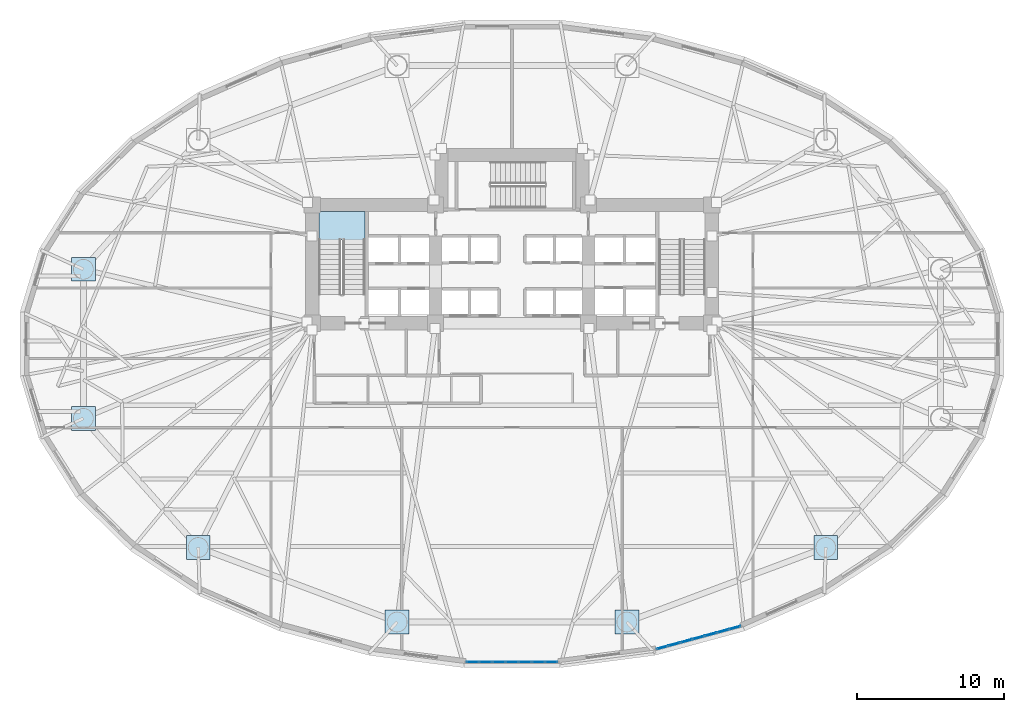
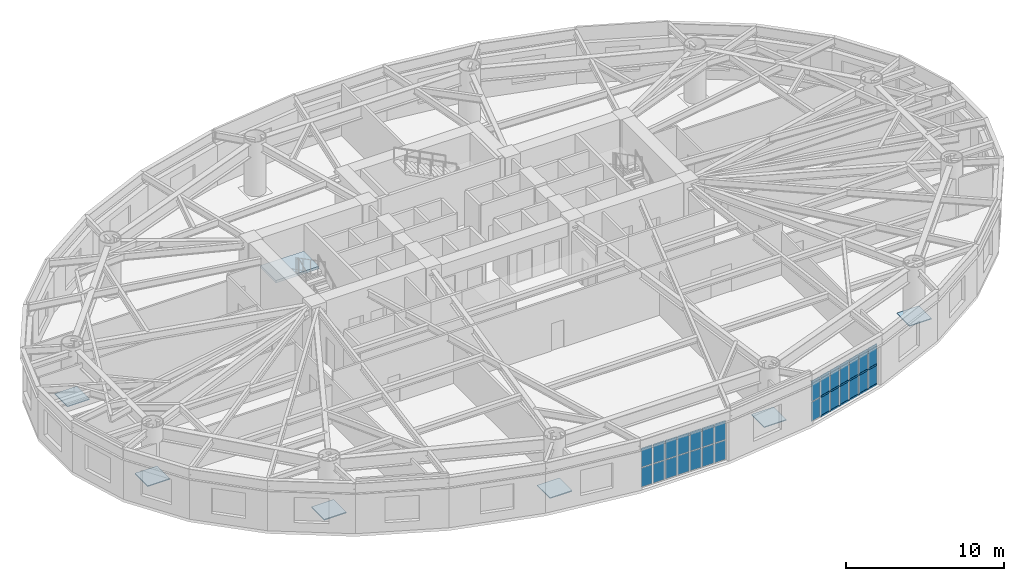
# One storey, part 7 of 18: 34 plates, 19 members, 1 slab, 3 elements without a shape of their own.
"""IFC4 building model written with IfcOpenShell, lengths in metres."""

import ifcopenshell
import ifcopenshell.guid

model = None  # the IFC model being written
_history = None  # IfcOwnerHistory: only IFC2X3 demands one
_inside = {}  # id of a spatial element -> (the spatial element, [elements in it])
_under = {}  # id of a project, library or spatial element -> (it, [spatial elements below it])
_declared = {}  # id of a project -> (the project, [libraries it declares])
_typed = {}  # id of a type object -> (the type object, [elements of that type])
_made_of = {}  # id of a material, layer set ... -> (it, [elements and type objects made of it])


def new_model(schema):
    """Start an empty IFC model of exactly this schema.

    Asked for "IFC4X3", IfcOpenShell would pick the latest addendum, in which some entities
    have other attributes; the version numbers below select the first issue.
    IFC2X3 requires an IfcOwnerHistory on every rooted entity: one is made here for all.
    """
    global model, _history
    if schema == "IFC4X3":
        model = ifcopenshell.file(schema_version=(4, 3, 0, 0))
    else:
        model = ifcopenshell.file(schema=schema)
    _inside.clear()
    _under.clear()
    _declared.clear()
    _typed.clear()
    _made_of.clear()
    _history = None
    if model.schema == "IFC2X3":
        org = make("IfcOrganization", Name="unknown")
        user = make(
            "IfcPersonAndOrganization",
            ThePerson=make("IfcPerson", FamilyName="unknown"),
            TheOrganization=org,
        )
        app = make(
            "IfcApplication",
            ApplicationDeveloper=org,
            Version="unknown",
            ApplicationFullName="unknown",
            ApplicationIdentifier="unknown",
        )
        _history = make(
            "IfcOwnerHistory",
            OwningUser=user,
            OwningApplication=app,
            ChangeAction="ADDED",
            CreationDate=0,
        )
    return model


def make(cls, **values):
    """One entity of the class cls with the attributes given. An attribute that is None is left unset."""
    return model.create_entity(
        cls, **{name: value for name, value in values.items() if value is not None}
    )


def rooted(cls, **values):
    """An entity with a GlobalId (a new one), such as an element, a storey or a relation."""
    return make(cls, GlobalId=ifcopenshell.guid.new(), OwnerHistory=_history, **values)


def si_unit(unit_type, name, prefix=None):
    """IfcSIUnit, for example si_unit("LENGTHUNIT", "METRE", prefix="MILLI")."""
    return make("IfcSIUnit", UnitType=unit_type, Prefix=prefix, Name=name)


def assignment(units):
    """IfcUnitAssignment: the units of a project."""
    return None if units is None else make("IfcUnitAssignment", Units=units)


def point(xyz):
    """IfcCartesianPoint."""
    return None if xyz is None else make("IfcCartesianPoint", Coordinates=xyz)


def direction(xyz):
    """IfcDirection."""
    return None if xyz is None else make("IfcDirection", DirectionRatios=xyz)


def frame(location, z_axis=None, x_axis=None):
    """IfcAxis2Placement3D, a coordinate frame: its origin and axes. An axis left out is left unset."""
    return make(
        "IfcAxis2Placement3D",
        Location=point(location),
        Axis=direction(z_axis),
        RefDirection=direction(x_axis),
    )


def frame_2d(location, x_axis=None):
    """IfcAxis2Placement2D, a coordinate frame in the plane: its origin and x axis."""
    return make(
        "IfcAxis2Placement2D", Location=point(location), RefDirection=direction(x_axis)
    )


def origin():
    """The frame at (0, 0, 0) with its axes left unset."""
    return frame((0.0, 0.0, 0.0))


def origin_2d():
    """The frame at (0, 0) in the plane with its x axis left unset."""
    return frame_2d((0.0, 0.0))


def place(relative_to, where):
    """IfcLocalPlacement: puts the frame where relative to a parent placement (None: the world)."""
    return make(
        "IfcLocalPlacement", PlacementRelTo=relative_to, RelativePlacement=where
    )


def context(
    kind, dimensions, precision=None, world=None, true_north=None, identifier=None
):
    """IfcGeometricRepresentationContext, for example the 3D "Model" context."""
    return make(
        "IfcGeometricRepresentationContext",
        ContextIdentifier=identifier,
        ContextType=kind,
        CoordinateSpaceDimension=dimensions,
        Precision=precision,
        WorldCoordinateSystem=world,
        TrueNorth=true_north,
    )


def subcontext(parent, identifier, kind, view, scale=None):
    """IfcGeometricRepresentationSubContext, for example "Body" below "Model"."""
    return make(
        "IfcGeometricRepresentationSubContext",
        ContextIdentifier=identifier,
        ContextType=kind,
        ParentContext=parent,
        TargetScale=scale,
        TargetView=view,
    )


def project(units=None, contexts=None):
    """IfcProject with its units and contexts."""
    return rooted(
        "IfcProject",
        Name="project",
        RepresentationContexts=contexts,
        UnitsInContext=assignment(units),
    )


def spatial(cls, under=None, at=None, **own):
    """A site, building, storey or space (cls), placed at a placement, below another one or the project."""
    s = rooted(cls, ObjectPlacement=at, **own)
    if under is not None:
        _under.setdefault(under.id(), (under, []))[1].append(s)
    return s


def polyline(points):
    """IfcPolyline through the points."""
    return make("IfcPolyline", Points=[point(p) for p in points])


def profile(cls, at=None, kind="AREA", **sizes):
    """A parametric profile (cls). Its sizes go by their IFC names, for example OverallWidth=200.0."""
    return make(cls, ProfileType=kind, Position=at, **sizes)


def rectangle(**sizes):
    """IfcRectangleProfileDef."""
    return profile("IfcRectangleProfileDef", **sizes)


def outline(outer, holes=None, kind="AREA"):
    """IfcArbitraryClosedProfileDef: a profile drawn as a closed curve; with holes, ...WithVoids."""
    if holes is None:
        return make("IfcArbitraryClosedProfileDef", ProfileType=kind, OuterCurve=outer)
    return make(
        "IfcArbitraryProfileDefWithVoids",
        ProfileType=kind,
        OuterCurve=outer,
        InnerCurves=holes,
    )


def extrude(swept, where, along, depth):
    """IfcExtrudedAreaSolid: the profile swept, set in the frame where, extruded along a direction by depth."""
    return make(
        "IfcExtrudedAreaSolid",
        SweptArea=swept,
        Position=where,
        ExtrudedDirection=direction(along),
        Depth=depth,
    )


def shape(context_of_items, identifier, shape_type, items):
    """IfcShapeRepresentation: the items that make up one representation, for example the "Body"."""
    return make(
        "IfcShapeRepresentation",
        ContextOfItems=context_of_items,
        RepresentationIdentifier=identifier,
        RepresentationType=shape_type,
        Items=items,
    )


def material(Name=None, Category=None):
    """IfcMaterial."""
    return make("IfcMaterial", Name=Name, Category=Category)


def layer(
    of_material, thickness, ventilated=None, Name=None, Category=None, Priority=None
):
    """IfcMaterialLayer: one layer of a wall or slab, of a material (None: an air gap)."""
    return make(
        "IfcMaterialLayer",
        Material=of_material,
        LayerThickness=thickness,
        IsVentilated=ventilated,
        Name=Name,
        Category=Category,
        Priority=Priority,
    )


def layer_set(layers, Name=None):
    """IfcMaterialLayerSet."""
    return make("IfcMaterialLayerSet", MaterialLayers=layers, LayerSetName=Name)


def material_profile(
    of_material, cross_section, Name=None, Category=None, Priority=None
):
    """IfcMaterialProfile: a cross section and its material."""
    return make(
        "IfcMaterialProfile",
        Name=Name,
        Material=of_material,
        Profile=cross_section,
        Priority=Priority,
        Category=Category,
    )


def profile_set(profiles, Name=None, composite=None):
    """IfcMaterialProfileSet."""
    return make(
        "IfcMaterialProfileSet",
        Name=Name,
        MaterialProfiles=profiles,
        CompositeProfile=composite,
    )


def made_of(thing, what):
    """Note that an element or type object is made of a material, layer set ...; save() writes the relation."""
    if what is not None:
        _made_of.setdefault(what.id(), (what, []))[1].append(thing)
    return thing


def type_object(cls, material=None, **own):
    """A type object (cls), such as IfcWallType, which elements share."""
    return made_of(rooted(cls, **own), material)


def element(
    cls,
    number,
    at=None,
    inside=None,
    cuts=None,
    type_object=None,
    material=None,
    context=None,
    identifier="Body",
    shape_type=None,
    held_by="IfcProductDefinitionShape",
    body=None,
    shapes=None,
    **own,
):
    """One element of the class cls, such as IfcWall. Its Tag is "e" and its number.

    at: its placement. inside: the storey or other place that contains it. cuts: it is an
    opening in that element (IfcRelVoidsElement). A single representation is given by context,
    identifier, shape_type and body (its items); several are given by shapes. held_by: the class
    of the entity that holds the representations. save() writes the other relations.
    """
    e = rooted(cls, Tag="e%d" % number, ObjectPlacement=at, **own)
    if body is not None:
        shapes = [shape(context, identifier, shape_type, body)]
    if shapes is not None:
        e.Representation = make(held_by, Representations=shapes)
    if inside is not None:
        _inside.setdefault(inside.id(), (inside, []))[1].append(e)
    if cuts is not None:
        rooted(
            "IfcRelVoidsElement", RelatingBuildingElement=cuts, RelatedOpeningElement=e
        )
    if type_object is not None:
        _typed.setdefault(type_object.id(), (type_object, []))[1].append(e)
    return made_of(e, material)


def aggregate(whole, parts):
    """IfcRelAggregates: a whole, such as a stair, and the parts it consists of."""
    return rooted("IfcRelAggregates", RelatingObject=whole, RelatedObjects=parts)


def save(model, path):
    """Write the relations noted so far, then the file.

    IfcRelAggregates (storeys below a building ...), IfcRelContainedInSpatialStructure (elements
    in a storey), IfcRelDefinesByType, IfcRelAssociatesMaterial and IfcRelDeclares: one each for
    every whole, place, type object, material and project.
    """
    for whole, parts in _under.values():
        aggregate(whole, parts)
    for where, things in _inside.values():
        rooted(
            "IfcRelContainedInSpatialStructure",
            RelatedElements=things,
            RelatingStructure=where,
        )
    for kind, things in _typed.values():
        rooted("IfcRelDefinesByType", RelatedObjects=things, RelatingType=kind)
    for what, things in _made_of.values():
        rooted("IfcRelAssociatesMaterial", RelatedObjects=things, RelatingMaterial=what)
    for by, libraries in _declared.values():
        rooted("IfcRelDeclares", RelatingContext=by, RelatedDefinitions=libraries)
    model.write(path)


model = new_model("IFC4")

# Units and contexts
model_context = context("Model", 3, precision=1e-05, world=origin(), true_north=direction((0.0, 1.0)))
body_context = subcontext(model_context, "Body", "Model", "MODEL_VIEW")
ifc_project = project(units=[si_unit("LENGTHUNIT", "METRE"), si_unit("AREAUNIT", "SQUARE_METRE"), si_unit("VOLUMEUNIT", "CUBIC_METRE"), si_unit("PLANEANGLEUNIT", "RADIAN"), si_unit("MASSUNIT", "GRAM", prefix="KILO")], contexts=[model_context])

# Site, building, storey
site_placement = place(None, origin())
site = spatial("IfcSite", under=ifc_project, at=site_placement, CompositionType="ELEMENT")
building_placement = place(site_placement, origin())
building = spatial("IfcBuilding", under=site, at=building_placement, Name="Keldmark Tower", CompositionType="ELEMENT")
storey_placement = place(building_placement, frame((0.0, 0.0, 6.0)))
storey = spatial("IfcBuildingStorey", under=building, at=storey_placement, Name="L01", CompositionType="ELEMENT", Elevation=6.0)

# Curtain wall, members
ifc_material_1 = material(Name="Unitized Thermally Broken Aluminum and Triple Low-E Glazing", Category="aluminium")
ifc_layer_1 = layer(ifc_material_1, 0.219970703125)
ifc_layer_set_1 = layer_set([ifc_layer_1], Name="Unitized Thermally Broken Aluminum and Triple Low-E Glazing")
curtain_wall_type = type_object("IfcCurtainWallType", Name="Podium Wintergarden Curtain Wall System", PredefinedType="NOTDEFINED", material=ifc_layer_set_1)
curtain_wall_1_placement = place(storey_placement, origin())
curtain_wall_1 = element("IfcCurtainWall", 1, at=curtain_wall_1_placement, inside=storey, type_object=curtain_wall_type, Name="L01 Podium Wintergarden Curtain Wall System CW-L01-26", PredefinedType="NOTDEFINED")
ifc_material_2 = material(Name="Extruded Aluminum Alloy 6063-T6", Category="aluminium")
ifc_material_profile = material_profile(ifc_material_2, rectangle(XDim=0.06005859375, YDim=0.139892578125, at=origin_2d()), Name="CWT60X140")
ifc_profile_set = profile_set([ifc_material_profile], Name="Extruded Aluminum Alloy 6063-T6")
member_type = type_object("IfcMemberType", Name="Curtain Wall Horizontal Transom 60x140", PredefinedType="USERDEFINED", material=ifc_profile_set)
member_1_placement = place(storey_placement, frame((15.535888671875, -19.22314453125, 0.030029296875), z_axis=(-0.964946893051, -0.262445220171, 0.0), x_axis=(0.262445220171, -0.964946893051, 0.0)))
member_1 = element("IfcMember", 2, at=member_1_placement, type_object=member_type, Name="CW transom 1.1", ObjectType="TRANSOM", PredefinedType="USERDEFINED", context=body_context, shape_type="SweptSolid", body=[
    extrude(rectangle(XDim=0.06005859375, YDim=0.139892578125, at=origin_2d()), origin(), (0.0, 0.0, 1.0), 0.768310546875),
])
member_2_placement = place(storey_placement, frame((15.535888671875, -19.22314453125, 1.554443359375), z_axis=(-0.964946893051, -0.262445220171, 0.0), x_axis=(0.262445220171, -0.964946893051, 0.0)))
member_2 = element("IfcMember", 3, at=member_2_placement, type_object=member_type, Name="CW transom 1.2", ObjectType="TRANSOM", PredefinedType="USERDEFINED", context=body_context, shape_type="SweptSolid", body=[
    extrude(rectangle(XDim=0.06005859375, YDim=0.139892578125, at=origin_2d()), origin(), (0.0, 0.0, 1.0), 0.768310546875),
])
member_3_placement = place(storey_placement, frame((15.535888671875, -19.22314453125, 3.0791015625), z_axis=(-0.964946893051, -0.262445220171, 0.0), x_axis=(0.262445220171, -0.964946893051, 0.0)))
member_3 = element("IfcMember", 4, at=member_3_placement, type_object=member_type, Name="CW transom 1.3", ObjectType="TRANSOM", PredefinedType="USERDEFINED", context=body_context, shape_type="SweptSolid", body=[
    extrude(rectangle(XDim=0.06005859375, YDim=0.139892578125, at=origin_2d()), origin(), (0.0, 0.0, 1.0), 0.768310546875),
])
member_4_placement = place(storey_placement, frame((14.736572265625, -19.440673828125, 0.030029296875), z_axis=(-0.964954135758, -0.262418589059, 0.0), x_axis=(0.262418589059, -0.964954135758, 0.0)))
member_4 = element("IfcMember", 5, at=member_4_placement, type_object=member_type, Name="CW transom 2.1", ObjectType="TRANSOM", PredefinedType="USERDEFINED", context=body_context, shape_type="SweptSolid", body=[
    extrude(rectangle(XDim=0.06005859375, YDim=0.139892578125, at=origin_2d()), origin(), (0.0, 0.0, 1.0), 0.79833984375),
])
member_5_placement = place(storey_placement, frame((14.736572265625, -19.440673828125, 1.554443359375), z_axis=(-0.964954135758, -0.262418589059, 0.0), x_axis=(0.262418589059, -0.964954135758, 0.0)))
member_5 = element("IfcMember", 6, at=member_5_placement, type_object=member_type, Name="CW transom 2.2", ObjectType="TRANSOM", PredefinedType="USERDEFINED", context=body_context, shape_type="SweptSolid", body=[
    extrude(rectangle(XDim=0.06005859375, YDim=0.139892578125, at=origin_2d()), origin(), (0.0, 0.0, 1.0), 0.79833984375),
])
member_6_placement = place(storey_placement, frame((14.736572265625, -19.440673828125, 3.0791015625), z_axis=(-0.964954135758, -0.262418589059, 0.0), x_axis=(0.262418589059, -0.964954135758, 0.0)))
member_6 = element("IfcMember", 7, at=member_6_placement, type_object=member_type, Name="CW transom 2.3", ObjectType="TRANSOM", PredefinedType="USERDEFINED", context=body_context, shape_type="SweptSolid", body=[
    extrude(rectangle(XDim=0.06005859375, YDim=0.139892578125, at=origin_2d()), origin(), (0.0, 0.0, 1.0), 0.79833984375),
])
member_7_placement = place(storey_placement, frame((13.908447265625, -19.665771484375, 0.030029296875), z_axis=(-0.96487665225, -0.262703342086, 0.0), x_axis=(0.262703342086, -0.96487665225, 0.0)))
member_7 = element("IfcMember", 8, at=member_7_placement, type_object=member_type, Name="CW transom 3.1", ObjectType="TRANSOM", PredefinedType="USERDEFINED", context=body_context, shape_type="SweptSolid", body=[
    extrude(rectangle(XDim=0.06005859375, YDim=0.139892578125, at=origin_2d()), origin(), (0.0, 0.0, 1.0), 0.79833984375),
])
member_8_placement = place(storey_placement, frame((13.908447265625, -19.665771484375, 1.554443359375), z_axis=(-0.96487665225, -0.262703342086, 0.0), x_axis=(0.262703342086, -0.96487665225, 0.0)))
member_8 = element("IfcMember", 9, at=member_8_placement, type_object=member_type, Name="CW transom 3.2", ObjectType="TRANSOM", PredefinedType="USERDEFINED", context=body_context, shape_type="SweptSolid", body=[
    extrude(rectangle(XDim=0.06005859375, YDim=0.139892578125, at=origin_2d()), origin(), (0.0, 0.0, 1.0), 0.79833984375),
])
member_9_placement = place(storey_placement, frame((13.908447265625, -19.665771484375, 3.0791015625), z_axis=(-0.96487665225, -0.262703342086, 0.0), x_axis=(0.262703342086, -0.96487665225, 0.0)))
member_9 = element("IfcMember", 10, at=member_9_placement, type_object=member_type, Name="CW transom 3.3", ObjectType="TRANSOM", PredefinedType="USERDEFINED", context=body_context, shape_type="SweptSolid", body=[
    extrude(rectangle(XDim=0.06005859375, YDim=0.139892578125, at=origin_2d()), origin(), (0.0, 0.0, 1.0), 0.79833984375),
])
member_10_placement = place(storey_placement, frame((13.080322265625, -19.89111328125, 0.030029296875), z_axis=(-0.964954135758, -0.262418589059, 0.0), x_axis=(0.262418589059, -0.964954135758, 0.0)))
member_10 = element("IfcMember", 11, at=member_10_placement, type_object=member_type, Name="CW transom 4.1", ObjectType="TRANSOM", PredefinedType="USERDEFINED", context=body_context, shape_type="SweptSolid", body=[
    extrude(rectangle(XDim=0.06005859375, YDim=0.139892578125, at=origin_2d()), origin(), (0.0, 0.0, 1.0), 0.79833984375),
])
member_11_placement = place(storey_placement, frame((13.080322265625, -19.89111328125, 1.554443359375), z_axis=(-0.964954135758, -0.262418589059, 0.0), x_axis=(0.262418589059, -0.964954135758, 0.0)))
member_11 = element("IfcMember", 12, at=member_11_placement, type_object=member_type, Name="CW transom 4.2", ObjectType="TRANSOM", PredefinedType="USERDEFINED", context=body_context, shape_type="SweptSolid", body=[
    extrude(rectangle(XDim=0.06005859375, YDim=0.139892578125, at=origin_2d()), origin(), (0.0, 0.0, 1.0), 0.79833984375),
])
member_12_placement = place(storey_placement, frame((13.080322265625, -19.89111328125, 3.0791015625), z_axis=(-0.964954135758, -0.262418589059, 0.0), x_axis=(0.262418589059, -0.964954135758, 0.0)))
member_12 = element("IfcMember", 13, at=member_12_placement, type_object=member_type, Name="CW transom 4.3", ObjectType="TRANSOM", PredefinedType="USERDEFINED", context=body_context, shape_type="SweptSolid", body=[
    extrude(rectangle(XDim=0.06005859375, YDim=0.139892578125, at=origin_2d()), origin(), (0.0, 0.0, 1.0), 0.79833984375),
])
member_13_placement = place(storey_placement, frame((12.252197265625, -20.116455078125, 0.030029296875), z_axis=(-0.964954135758, -0.262418589059, 0.0), x_axis=(0.262418589059, -0.964954135758, 0.0)))
member_13 = element("IfcMember", 14, at=member_13_placement, type_object=member_type, Name="CW transom 5.1", ObjectType="TRANSOM", PredefinedType="USERDEFINED", context=body_context, shape_type="SweptSolid", body=[
    extrude(rectangle(XDim=0.06005859375, YDim=0.139892578125, at=origin_2d()), origin(), (0.0, 0.0, 1.0), 0.79833984375),
])
member_14_placement = place(storey_placement, frame((12.252197265625, -20.116455078125, 1.554443359375), z_axis=(-0.964954135758, -0.262418589059, 0.0), x_axis=(0.262418589059, -0.964954135758, 0.0)))
member_14 = element("IfcMember", 15, at=member_14_placement, type_object=member_type, Name="CW transom 5.2", ObjectType="TRANSOM", PredefinedType="USERDEFINED", context=body_context, shape_type="SweptSolid", body=[
    extrude(rectangle(XDim=0.06005859375, YDim=0.139892578125, at=origin_2d()), origin(), (0.0, 0.0, 1.0), 0.79833984375),
])
member_15_placement = place(storey_placement, frame((12.252197265625, -20.116455078125, 3.0791015625), z_axis=(-0.964954135758, -0.262418589059, 0.0), x_axis=(0.262418589059, -0.964954135758, 0.0)))
member_15 = element("IfcMember", 16, at=member_15_placement, type_object=member_type, Name="CW transom 5.3", ObjectType="TRANSOM", PredefinedType="USERDEFINED", context=body_context, shape_type="SweptSolid", body=[
    extrude(rectangle(XDim=0.06005859375, YDim=0.139892578125, at=origin_2d()), origin(), (0.0, 0.0, 1.0), 0.79833984375),
])
member_16_placement = place(storey_placement, frame((11.424072265625, -20.341796875, 0.030029296875), z_axis=(-0.964954135758, -0.262418589059, 0.0), x_axis=(0.262418589059, -0.964954135758, 0.0)))
member_16 = element("IfcMember", 17, at=member_16_placement, type_object=member_type, Name="CW transom 6.1", ObjectType="TRANSOM", PredefinedType="USERDEFINED", context=body_context, shape_type="SweptSolid", body=[
    extrude(rectangle(XDim=0.06005859375, YDim=0.139892578125, at=origin_2d()), origin(), (0.0, 0.0, 1.0), 0.79833984375),
])
member_17_placement = place(storey_placement, frame((11.424072265625, -20.341796875, 1.554443359375), z_axis=(-0.964954135758, -0.262418589059, 0.0), x_axis=(0.262418589059, -0.964954135758, 0.0)))
member_17 = element("IfcMember", 18, at=member_17_placement, type_object=member_type, Name="CW transom 6.2", ObjectType="TRANSOM", PredefinedType="USERDEFINED", context=body_context, shape_type="SweptSolid", body=[
    extrude(rectangle(XDim=0.06005859375, YDim=0.139892578125, at=origin_2d()), origin(), (0.0, 0.0, 1.0), 0.79833984375),
])
member_18_placement = place(storey_placement, frame((11.424072265625, -20.341796875, 3.0791015625), z_axis=(-0.964954135758, -0.262418589059, 0.0), x_axis=(0.262418589059, -0.964954135758, 0.0)))
member_18 = element("IfcMember", 19, at=member_18_placement, type_object=member_type, Name="CW transom 6.3", ObjectType="TRANSOM", PredefinedType="USERDEFINED", context=body_context, shape_type="SweptSolid", body=[
    extrude(rectangle(XDim=0.06005859375, YDim=0.139892578125, at=origin_2d()), origin(), (0.0, 0.0, 1.0), 0.79833984375),
])
member_19_placement = place(storey_placement, frame((10.595703125, -20.56689453125, 3.0791015625), z_axis=(-0.964924998517, -0.262525707765, 0.0), x_axis=(0.262525707765, -0.964924998517, 0.0)))
member_19 = element("IfcMember", 20, at=member_19_placement, type_object=member_type, Name="CW transom 7.3", ObjectType="TRANSOM", PredefinedType="USERDEFINED", context=body_context, shape_type="SweptSolid", body=[
    extrude(rectangle(XDim=0.06005859375, YDim=0.139892578125, at=origin_2d()), origin(), (0.0, 0.0, 1.0), 0.76806640625),
])

# Plates
ifc_material_3 = material(Name="Steel ASTM A572 Grade 50", Category="steel")
ifc_layer_2 = layer(ifc_material_3, 0.070068359375)
ifc_layer_set_2 = layer_set([ifc_layer_2], Name="Steel ASTM A572 Grade 50")
plate_type_1 = type_object("IfcPlateType", Name="Pilotis Top Cap Plate BP02 70 mm", PredefinedType="USERDEFINED", material=ifc_layer_set_2)
for number, where, z_axis, x_axis, name in (
    (21, (-29.1708984375, 5.072998046875, -0.06982421875), (0.0, 0.0, 1.0), (1.0, 0.0, 0.0), "L01 Pilotis Transition Diaphragm Plate MC-06"),
    (22, (-29.1708984375, -5.072998046875, -0.06982421875), (0.0, 0.0, 1.0), (1.0, 0.0, 0.0), "L01 Pilotis Transition Diaphragm Plate MC-07"),
    (23, (-21.3544921875, -13.859375, -0.06982421875), (0.0, 0.0, 1.0), (1.0, 0.0, 0.0), "L01 Pilotis Transition Diaphragm Plate MC-08"),
    (24, (-7.81640625, -18.93212890625, -0.06982421875), (0.0, 0.0, 1.0), (1.0, 0.0, 0.0), "L01 Pilotis Transition Diaphragm Plate MC-09"),
    (25, (7.81640625, -18.93212890625, -0.06982421875), (0.0, 0.0, 1.0), (1.0, 0.0, 0.0), "L01 Pilotis Transition Diaphragm Plate MC-10"),
    (26, (21.3544921875, -13.859375, -0.06982421875), (0.0, 0.0, 1.0), (1.0, 0.0, 0.0), "L01 Pilotis Transition Diaphragm Plate MC-11"),
):
    element("IfcPlate", number, at=place(storey_placement, frame(where, z_axis=z_axis, x_axis=x_axis)), inside=storey, type_object=plate_type_1, Name=name, ObjectType="CAP PLATE", PredefinedType="USERDEFINED", context=body_context, shape_type="SweptSolid", body=[
        extrude(rectangle(XDim=1.6201171875, YDim=1.6201171875, at=origin_2d()), origin(), (0.0, 0.0, 1.0), 0.070068359375),
    ])

# Stair, slab
ifc_material_4 = material(Name="Concrete C40/50", Category="concrete")
stair_type = type_object("IfcStairType", Name="Precast Concrete Core Exit Stair", PredefinedType="HALF_TURN_STAIR", material=ifc_material_4)
stair_placement = place(storey_placement, origin())
stair = element("IfcStair", 27, at=stair_placement, inside=storey, type_object=stair_type, Name="L01 Exit Stair ST1", PredefinedType="HALF_TURN_STAIR")
ifc_material_5 = material(Name="Concrete C40/50", Category="concrete")
ifc_layer_3 = layer(ifc_material_5, 0.199951171875)
ifc_layer_set_3 = layer_set([ifc_layer_3], Name="Concrete C40/50")
slab_type = type_object("IfcSlabType", Name="Reinforced Concrete Stair Landing 200 mm", PredefinedType="LANDING", material=ifc_layer_set_3)
slab_placement = place(storey_placement, frame((0.0, 0.0, 1.89990234375)))
slab = element("IfcSlab", 28, at=slab_placement, type_object=slab_type, Name="ST1 landing 1", PredefinedType="LANDING", context=body_context, shape_type="SweptSolid", body=[
    extrude(outline(polyline([(-10.0, 7.070068359375), (-10.0, 9.0), (-13.14990234375, 9.0), (-13.14990234375, 7.070068359375), (-10.0, 7.070068359375)])), origin(), (0.0, 0.0, 1.0), 0.2001953125),
])
aggregate(stair, [slab])

# Curtain wall, plates
curtain_wall_2_placement = place(storey_placement, origin())
curtain_wall_2 = element("IfcCurtainWall", 29, at=curtain_wall_2_placement, inside=storey, type_object=curtain_wall_type, Name="L01 Podium Wintergarden Curtain Wall System CW-L01-24", PredefinedType="NOTDEFINED")
ifc_material_6 = material(Name="Triple Silver Low-E Insulated Glass Unit", Category="glass")
ifc_layer_4 = layer(ifc_material_6, 0.035888671875)
ifc_layer_set_4 = layer_set([ifc_layer_4], Name="Triple Silver Low-E Insulated Glass Unit")
plate_type_2 = type_object("IfcPlateType", Name="Triple Low-E Vision Glazing Panel 36 mm", PredefinedType="CURTAIN_PANEL", material=ifc_layer_set_4)
plate_1_placement = place(storey_placement, frame((2.679443359375, -21.654052734375, 0.06005859375), z_axis=(0.0, 0.0, 1.0), x_axis=(-1.0, 0.0, 0.0)))
plate_1 = element("IfcPlate", 30, at=plate_1_placement, type_object=plate_type_2, Name="CW panel 1.1", PredefinedType="CURTAIN_PANEL", context=body_context, shape_type="SweptSolid", body=[
    extrude(rectangle(XDim=0.80810546875, YDim=0.035888671875, at=origin_2d()), origin(), (0.0, 0.0, 1.0), 1.464599609375),
])
plate_2_placement = place(storey_placement, frame((2.679443359375, -21.654052734375, 1.58447265625), z_axis=(0.0, 0.0, 1.0), x_axis=(-1.0, 0.0, 0.0)))
plate_2 = element("IfcPlate", 31, at=plate_2_placement, type_object=plate_type_2, Name="CW panel 1.2", PredefinedType="CURTAIN_PANEL", context=body_context, shape_type="SweptSolid", body=[
    extrude(rectangle(XDim=0.80810546875, YDim=0.035888671875, at=origin_2d()), origin(), (0.0, 0.0, 1.0), 1.464599609375),
])
plate_3_placement = place(storey_placement, frame((1.79638671875, -21.654052734375, 0.06005859375), z_axis=(0.0, 0.0, 1.0), x_axis=(-1.0, 0.0, 0.0)))
plate_3 = element("IfcPlate", 32, at=plate_3_placement, type_object=plate_type_2, Name="CW panel 2.1", PredefinedType="CURTAIN_PANEL", context=body_context, shape_type="SweptSolid", body=[
    extrude(rectangle(XDim=0.838134765625, YDim=0.035888671875, at=origin_2d()), origin(), (0.0, 0.0, 1.0), 1.464599609375),
])
plate_4_placement = place(storey_placement, frame((1.79638671875, -21.654052734375, 1.58447265625), z_axis=(0.0, 0.0, 1.0), x_axis=(-1.0, 0.0, 0.0)))
plate_4 = element("IfcPlate", 33, at=plate_4_placement, type_object=plate_type_2, Name="CW panel 2.2", PredefinedType="CURTAIN_PANEL", context=body_context, shape_type="SweptSolid", body=[
    extrude(rectangle(XDim=0.838134765625, YDim=0.035888671875, at=origin_2d()), origin(), (0.0, 0.0, 1.0), 1.464599609375),
])
plate_5_placement = place(storey_placement, frame((0.898193359375, -21.654052734375, 0.06005859375), z_axis=(0.0, 0.0, 1.0), x_axis=(-1.0, 0.0, 0.0)))
plate_5 = element("IfcPlate", 34, at=plate_5_placement, type_object=plate_type_2, Name="CW panel 3.1", PredefinedType="CURTAIN_PANEL", context=body_context, shape_type="SweptSolid", body=[
    extrude(rectangle(XDim=0.838134765625, YDim=0.035888671875, at=origin_2d()), origin(), (0.0, 0.0, 1.0), 1.464599609375),
])
plate_6_placement = place(storey_placement, frame((0.898193359375, -21.654052734375, 1.58447265625), z_axis=(0.0, 0.0, 1.0), x_axis=(-1.0, 0.0, 0.0)))
plate_6 = element("IfcPlate", 35, at=plate_6_placement, type_object=plate_type_2, Name="CW panel 3.2", PredefinedType="CURTAIN_PANEL", context=body_context, shape_type="SweptSolid", body=[
    extrude(rectangle(XDim=0.838134765625, YDim=0.035888671875, at=origin_2d()), origin(), (0.0, 0.0, 1.0), 1.464599609375),
])
plate_7_placement = place(storey_placement, frame((0.0, -21.654052734375, 0.06005859375), z_axis=(0.0, 0.0, 1.0), x_axis=(-1.0, 0.0, 0.0)))
plate_7 = element("IfcPlate", 36, at=plate_7_placement, type_object=plate_type_2, Name="CW panel 4.1", PredefinedType="CURTAIN_PANEL", context=body_context, shape_type="SweptSolid", body=[
    extrude(rectangle(XDim=0.838134765625, YDim=0.035888671875, at=origin_2d()), origin(), (0.0, 0.0, 1.0), 1.464599609375),
])
plate_8_placement = place(storey_placement, frame((0.0, -21.654052734375, 1.58447265625), z_axis=(0.0, 0.0, 1.0), x_axis=(-1.0, 0.0, 0.0)))
plate_8 = element("IfcPlate", 37, at=plate_8_placement, type_object=plate_type_2, Name="CW panel 4.2", PredefinedType="CURTAIN_PANEL", context=body_context, shape_type="SweptSolid", body=[
    extrude(rectangle(XDim=0.838134765625, YDim=0.035888671875, at=origin_2d()), origin(), (0.0, 0.0, 1.0), 1.464599609375),
])
plate_9_placement = place(storey_placement, frame((-0.898193359375, -21.654052734375, 0.06005859375), z_axis=(0.0, 0.0, 1.0), x_axis=(-1.0, 0.0, 0.0)))
plate_9 = element("IfcPlate", 38, at=plate_9_placement, type_object=plate_type_2, Name="CW panel 5.1", PredefinedType="CURTAIN_PANEL", context=body_context, shape_type="SweptSolid", body=[
    extrude(rectangle(XDim=0.838134765625, YDim=0.035888671875, at=origin_2d()), origin(), (0.0, 0.0, 1.0), 1.464599609375),
])
plate_10_placement = place(storey_placement, frame((-0.898193359375, -21.654052734375, 1.58447265625), z_axis=(0.0, 0.0, 1.0), x_axis=(-1.0, 0.0, 0.0)))
plate_10 = element("IfcPlate", 39, at=plate_10_placement, type_object=plate_type_2, Name="CW panel 5.2", PredefinedType="CURTAIN_PANEL", context=body_context, shape_type="SweptSolid", body=[
    extrude(rectangle(XDim=0.838134765625, YDim=0.035888671875, at=origin_2d()), origin(), (0.0, 0.0, 1.0), 1.464599609375),
])
plate_11_placement = place(storey_placement, frame((-1.79638671875, -21.654052734375, 0.06005859375), z_axis=(0.0, 0.0, 1.0), x_axis=(-1.0, 0.0, 0.0)))
plate_11 = element("IfcPlate", 40, at=plate_11_placement, type_object=plate_type_2, Name="CW panel 6.1", PredefinedType="CURTAIN_PANEL", context=body_context, shape_type="SweptSolid", body=[
    extrude(rectangle(XDim=0.838134765625, YDim=0.035888671875, at=origin_2d()), origin(), (0.0, 0.0, 1.0), 1.464599609375),
])
plate_12_placement = place(storey_placement, frame((-1.79638671875, -21.654052734375, 1.58447265625), z_axis=(0.0, 0.0, 1.0), x_axis=(-1.0, 0.0, 0.0)))
plate_12 = element("IfcPlate", 41, at=plate_12_placement, type_object=plate_type_2, Name="CW panel 6.2", PredefinedType="CURTAIN_PANEL", context=body_context, shape_type="SweptSolid", body=[
    extrude(rectangle(XDim=0.838134765625, YDim=0.035888671875, at=origin_2d()), origin(), (0.0, 0.0, 1.0), 1.464599609375),
])
plate_13_placement = place(storey_placement, frame((-2.679443359375, -21.654052734375, 0.06005859375), z_axis=(0.0, 0.0, 1.0), x_axis=(-1.0, 0.0, 0.0)))
plate_13 = element("IfcPlate", 42, at=plate_13_placement, type_object=plate_type_2, Name="CW panel 7.1", PredefinedType="CURTAIN_PANEL", context=body_context, shape_type="SweptSolid", body=[
    extrude(rectangle(XDim=0.80810546875, YDim=0.035888671875, at=origin_2d()), origin(), (0.0, 0.0, 1.0), 1.464599609375),
])
plate_14_placement = place(storey_placement, frame((-2.679443359375, -21.654052734375, 1.58447265625), z_axis=(0.0, 0.0, 1.0), x_axis=(-1.0, 0.0, 0.0)))
plate_14 = element("IfcPlate", 43, at=plate_14_placement, type_object=plate_type_2, Name="CW panel 7.2", PredefinedType="CURTAIN_PANEL", context=body_context, shape_type="SweptSolid", body=[
    extrude(rectangle(XDim=0.80810546875, YDim=0.035888671875, at=origin_2d()), origin(), (0.0, 0.0, 1.0), 1.464599609375),
])
aggregate(curtain_wall_2, [plate_1, plate_2, plate_3, plate_4, plate_5, plate_6, plate_7, plate_8, plate_9, plate_10, plate_11, plate_12, plate_13, plate_14])

# Plate
plate_15_placement = place(storey_placement, frame((15.1650390625, -19.323974609375, 0.06005859375), z_axis=(0.0, 0.0, 1.0), x_axis=(-0.964933783738, -0.262493415157, 0.0)))
plate_15 = element("IfcPlate", 44, at=plate_15_placement, type_object=plate_type_2, Name="CW panel 1.1", PredefinedType="CURTAIN_PANEL", context=body_context, shape_type="SweptSolid", body=[
    extrude(rectangle(XDim=0.768310546875, YDim=0.035888671875, at=origin_2d()), origin(), (0.0, 0.0, 1.0), 1.464599609375),
])

plate_16_placement = place(storey_placement, frame((15.1650390625, -19.323974609375, 1.58447265625), z_axis=(0.0, 0.0, 1.0), x_axis=(-0.964933783738, -0.262493415157, 0.0)))
plate_16 = element("IfcPlate", 45, at=plate_16_placement, type_object=plate_type_2, Name="CW panel 1.2", PredefinedType="CURTAIN_PANEL", context=body_context, shape_type="SweptSolid", body=[
    extrude(rectangle(XDim=0.768310546875, YDim=0.035888671875, at=origin_2d()), origin(), (0.0, 0.0, 1.0), 1.464599609375),
])

plate_17_placement = place(storey_placement, frame((14.3515625, -19.54541015625, 0.06005859375), z_axis=(0.0, 0.0, 1.0), x_axis=(-0.964933783738, -0.262493415157, 0.0)))
plate_17 = element("IfcPlate", 46, at=plate_17_placement, type_object=plate_type_2, Name="CW panel 2.1", PredefinedType="CURTAIN_PANEL", context=body_context, shape_type="SweptSolid", body=[
    extrude(rectangle(XDim=0.79833984375, YDim=0.035888671875, at=origin_2d()), origin(), (0.0, 0.0, 1.0), 1.464599609375),
])

plate_18_placement = place(storey_placement, frame((14.3515625, -19.54541015625, 1.58447265625), z_axis=(0.0, 0.0, 1.0), x_axis=(-0.964933783738, -0.262493415157, 0.0)))
plate_18 = element("IfcPlate", 47, at=plate_18_placement, type_object=plate_type_2, Name="CW panel 2.2", PredefinedType="CURTAIN_PANEL", context=body_context, shape_type="SweptSolid", body=[
    extrude(rectangle(XDim=0.79833984375, YDim=0.035888671875, at=origin_2d()), origin(), (0.0, 0.0, 1.0), 1.464599609375),
])

plate_19_placement = place(storey_placement, frame((13.523193359375, -19.7705078125, 0.06005859375), z_axis=(0.0, 0.0, 1.0), x_axis=(-0.964933783738, -0.262493415157, 0.0)))
plate_19 = element("IfcPlate", 48, at=plate_19_placement, type_object=plate_type_2, Name="CW panel 3.1", PredefinedType="CURTAIN_PANEL", context=body_context, shape_type="SweptSolid", body=[
    extrude(rectangle(XDim=0.79833984375, YDim=0.035888671875, at=origin_2d()), origin(), (0.0, 0.0, 1.0), 1.464599609375),
])

plate_20_placement = place(storey_placement, frame((13.523193359375, -19.7705078125, 1.58447265625), z_axis=(0.0, 0.0, 1.0), x_axis=(-0.964933783738, -0.262493415157, 0.0)))
plate_20 = element("IfcPlate", 49, at=plate_20_placement, type_object=plate_type_2, Name="CW panel 3.2", PredefinedType="CURTAIN_PANEL", context=body_context, shape_type="SweptSolid", body=[
    extrude(rectangle(XDim=0.79833984375, YDim=0.035888671875, at=origin_2d()), origin(), (0.0, 0.0, 1.0), 1.464599609375),
])

plate_21_placement = place(storey_placement, frame((12.695068359375, -19.995849609375, 0.06005859375), z_axis=(0.0, 0.0, 1.0), x_axis=(-0.964933783738, -0.262493415157, 0.0)))
plate_21 = element("IfcPlate", 50, at=plate_21_placement, type_object=plate_type_2, Name="CW panel 4.1", PredefinedType="CURTAIN_PANEL", context=body_context, shape_type="SweptSolid", body=[
    extrude(rectangle(XDim=0.79833984375, YDim=0.035888671875, at=origin_2d()), origin(), (0.0, 0.0, 1.0), 1.464599609375),
])

plate_22_placement = place(storey_placement, frame((12.695068359375, -19.995849609375, 1.58447265625), z_axis=(0.0, 0.0, 1.0), x_axis=(-0.964933783738, -0.262493415157, 0.0)))
plate_22 = element("IfcPlate", 51, at=plate_22_placement, type_object=plate_type_2, Name="CW panel 4.2", PredefinedType="CURTAIN_PANEL", context=body_context, shape_type="SweptSolid", body=[
    extrude(rectangle(XDim=0.79833984375, YDim=0.035888671875, at=origin_2d()), origin(), (0.0, 0.0, 1.0), 1.464599609375),
])

plate_23_placement = place(storey_placement, frame((11.866943359375, -20.22119140625, 0.06005859375), z_axis=(0.0, 0.0, 1.0), x_axis=(-0.964933783738, -0.262493415157, 0.0)))
plate_23 = element("IfcPlate", 52, at=plate_23_placement, type_object=plate_type_2, Name="CW panel 5.1", PredefinedType="CURTAIN_PANEL", context=body_context, shape_type="SweptSolid", body=[
    extrude(rectangle(XDim=0.79833984375, YDim=0.035888671875, at=origin_2d()), origin(), (0.0, 0.0, 1.0), 1.464599609375),
])

plate_24_placement = place(storey_placement, frame((11.866943359375, -20.22119140625, 1.58447265625), z_axis=(0.0, 0.0, 1.0), x_axis=(-0.964933783738, -0.262493415157, 0.0)))
plate_24 = element("IfcPlate", 53, at=plate_24_placement, type_object=plate_type_2, Name="CW panel 5.2", PredefinedType="CURTAIN_PANEL", context=body_context, shape_type="SweptSolid", body=[
    extrude(rectangle(XDim=0.79833984375, YDim=0.035888671875, at=origin_2d()), origin(), (0.0, 0.0, 1.0), 1.464599609375),
])

plate_25_placement = place(storey_placement, frame((11.038818359375, -20.446533203125, 0.06005859375), z_axis=(0.0, 0.0, 1.0), x_axis=(-0.964933783738, -0.262493415157, 0.0)))
plate_25 = element("IfcPlate", 54, at=plate_25_placement, type_object=plate_type_2, Name="CW panel 6.1", PredefinedType="CURTAIN_PANEL", context=body_context, shape_type="SweptSolid", body=[
    extrude(rectangle(XDim=0.79833984375, YDim=0.035888671875, at=origin_2d()), origin(), (0.0, 0.0, 1.0), 1.464599609375),
])

plate_26_placement = place(storey_placement, frame((11.038818359375, -20.446533203125, 1.58447265625), z_axis=(0.0, 0.0, 1.0), x_axis=(-0.964933783738, -0.262493415157, 0.0)))
plate_26 = element("IfcPlate", 55, at=plate_26_placement, type_object=plate_type_2, Name="CW panel 6.2", PredefinedType="CURTAIN_PANEL", context=body_context, shape_type="SweptSolid", body=[
    extrude(rectangle(XDim=0.79833984375, YDim=0.035888671875, at=origin_2d()), origin(), (0.0, 0.0, 1.0), 1.464599609375),
])

plate_27_placement = place(storey_placement, frame((10.22509765625, -20.667724609375, 0.06005859375), z_axis=(0.0, 0.0, 1.0), x_axis=(-0.964933783738, -0.262493415157, 0.0)))
plate_27 = element("IfcPlate", 56, at=plate_27_placement, type_object=plate_type_2, Name="CW panel 7.1", PredefinedType="CURTAIN_PANEL", context=body_context, shape_type="SweptSolid", body=[
    extrude(rectangle(XDim=0.768310546875, YDim=0.035888671875, at=origin_2d()), origin(), (0.0, 0.0, 1.0), 1.464599609375),
])

plate_28_placement = place(storey_placement, frame((10.22509765625, -20.667724609375, 1.58447265625), z_axis=(0.0, 0.0, 1.0), x_axis=(-0.964933783738, -0.262493415157, 0.0)))
plate_28 = element("IfcPlate", 57, at=plate_28_placement, type_object=plate_type_2, Name="CW panel 7.2", PredefinedType="CURTAIN_PANEL", context=body_context, shape_type="SweptSolid", body=[
    extrude(rectangle(XDim=0.768310546875, YDim=0.035888671875, at=origin_2d()), origin(), (0.0, 0.0, 1.0), 1.464599609375),
])

aggregate(curtain_wall_1, [member_1, member_2, member_3, plate_15, plate_16, member_4, member_5, member_6, plate_17, plate_18, member_7, member_8, member_9, plate_19, plate_20, member_10, member_11, member_12, plate_21, plate_22, member_13, member_14, member_15, plate_23, plate_24, member_16, member_17, member_18, plate_25, plate_26, member_19, plate_27, plate_28])

save(model, "model.ifc")
